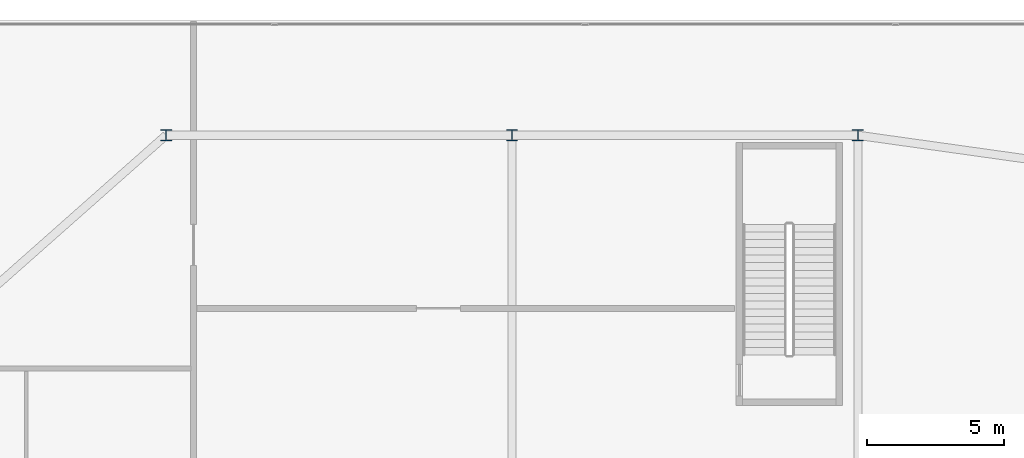
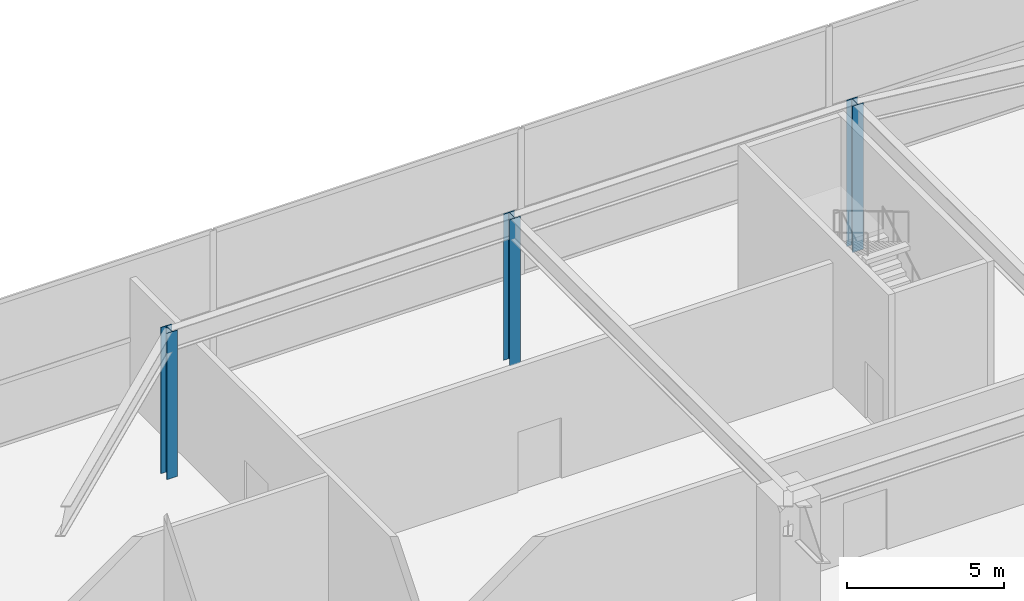
# One storey, part 2 of 35: 3 columns.
"""IFC4 building model written with IfcOpenShell, lengths in metres."""

from ifc_helpers import new_model, si_unit, direction, frame, origin, origin_2d, place, context, subcontext, project, spatial, i_section, extrude, material, material_profile, profile_set, type_object, element, save


model = new_model("IFC4")

# Units and contexts
model_context = context("Model", 3, precision=1e-05, world=origin(), true_north=direction((0.0, 1.0)))
body_context = subcontext(model_context, "Body", "Model", "MODEL_VIEW")
ifc_project = project(units=[si_unit("LENGTHUNIT", "METRE"), si_unit("AREAUNIT", "SQUARE_METRE"), si_unit("VOLUMEUNIT", "CUBIC_METRE"), si_unit("PLANEANGLEUNIT", "RADIAN"), si_unit("MASSUNIT", "GRAM", prefix="KILO")], contexts=[model_context])

# Site, building, storey
site_placement = place(None, origin())
site = spatial("IfcSite", under=ifc_project, at=site_placement, CompositionType="ELEMENT")
building_placement = place(site_placement, origin())
building = spatial("IfcBuilding", under=site, at=building_placement, Name="Calvorn Quay Hotel", CompositionType="ELEMENT")
storey_placement = place(building_placement, frame((0.0, 0.0, 6.0)))
storey = spatial("IfcBuildingStorey", under=building, at=storey_placement, Name="L01", CompositionType="ELEMENT", Elevation=6.0)

# Columns
ifc_material = material(Name="Steel Q420GJC", Category="steel")
ifc_material_profile = material_profile(ifc_material, i_section(OverallWidth=0.39990234375, OverallDepth=0.39990234375, WebThickness=0.012939453125, FlangeThickness=0.02099609375, FilletRadius=0.02197265625, at=origin_2d()), Name="HW400x400x13x21")
ifc_profile_set = profile_set([ifc_material_profile], Name="Steel Q420GJC")
column_type = type_object("IfcColumnType", Name="COL-STL-POD-PIL", PredefinedType="PILASTER", material=ifc_profile_set)
for number, where, z_axis, x_axis, name in (
    (1, (32.39990234375, 53.800048828125, 0.0), (0.0, 0.0, 1.0), (1.0, 0.0, 0.0), "Column C-PN3 (L01)"),
    (2, (45.0, 53.800048828125, 0.0), (0.0, 0.0, 1.0), (1.0, 0.0, 0.0), "Column C-PN4 (L01)"),
    (3, (57.60009765625, 53.800048828125, 0.0), (0.0, 0.0, 1.0), (1.0, 0.0, 0.0), "Column C-PN5 (L01)"),
):
    element("IfcColumn", number, at=place(storey_placement, frame(where, z_axis=z_axis, x_axis=x_axis)), inside=storey, type_object=column_type, Name=name, PredefinedType="PILASTER", context=body_context, shape_type="SweptSolid", body=[
        extrude(i_section(OverallWidth=0.39990234375, OverallDepth=0.39990234375, WebThickness=0.012939453125, FlangeThickness=0.02099609375, FilletRadius=0.02197265625, at=origin_2d()), origin(), (0.0, 0.0, 1.0), 5.679931640625),
    ])

save(model, "model.ifc")
